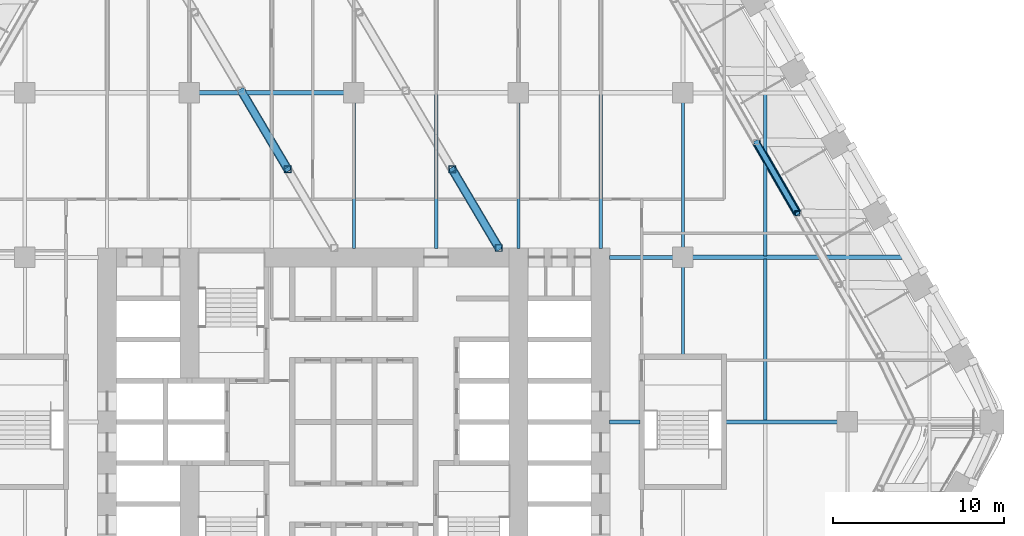
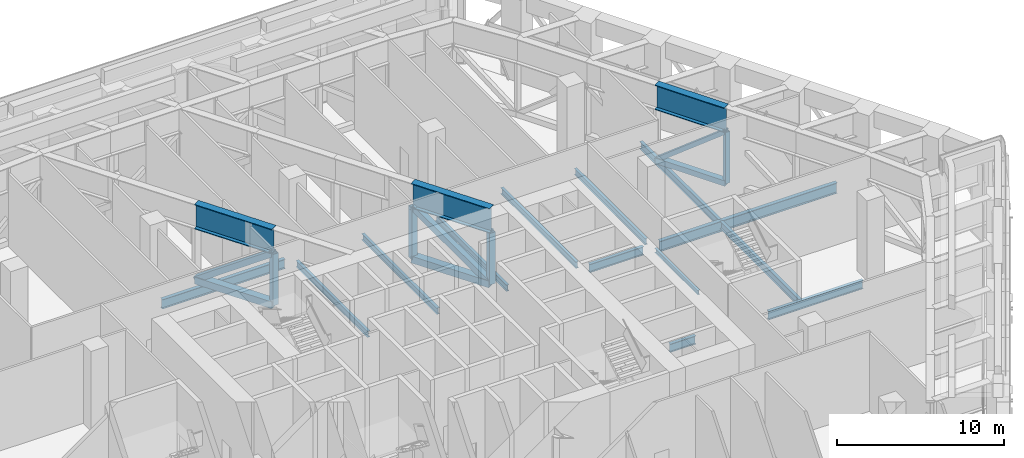
# One storey, part 9 of 35: 16 beams, 10 members.
"""IFC4 building model written with IfcOpenShell, lengths in metres."""

from ifc_helpers import new_model, si_unit, direction, frame, origin, origin_2d, place, context, subcontext, project, spatial, hollow_rectangle, i_section, extrude, material, material_profile, profile_set, type_object, element, save


model = new_model("IFC4")

# Units and contexts
model_context = context("Model", 3, precision=1e-05, world=origin(), true_north=direction((0.0, 1.0)))
body_context = subcontext(model_context, "Body", "Model", "MODEL_VIEW")
ifc_project = project(units=[si_unit("LENGTHUNIT", "METRE"), si_unit("AREAUNIT", "SQUARE_METRE"), si_unit("VOLUMEUNIT", "CUBIC_METRE"), si_unit("PLANEANGLEUNIT", "RADIAN"), si_unit("MASSUNIT", "GRAM", prefix="KILO")], contexts=[model_context])

# Site, building, storey
site_placement = place(None, origin())
site = spatial("IfcSite", under=ifc_project, at=site_placement, CompositionType="ELEMENT")
building_placement = place(site_placement, origin())
building = spatial("IfcBuilding", under=site, at=building_placement, Name="Kolab Exchange Tower", CompositionType="ELEMENT")
storey_placement = place(building_placement, frame((0.0, 0.0, 71.89990234375)))
storey = spatial("IfcBuildingStorey", under=building, at=storey_placement, Name="L13", CompositionType="ELEMENT", Elevation=71.89990234375)

# Members
ifc_material = material(Name="Steel S355", Category="steel")
ifc_material_profile_1 = material_profile(ifc_material, hollow_rectangle(XDim=0.300048828125, YDim=0.300048828125, WallThickness=0.01611328125, at=origin_2d()), Name="HSS300X300X16")
ifc_profile_set_1 = profile_set([ifc_material_profile_1], Name="Steel S355")
member_type_1 = type_object("IfcMemberType", Name="BELT TRUSS BRACE HSS300X300X16", PredefinedType="BRACE", material=ifc_profile_set_1)
member_1_placement = place(storey_placement, frame((23.48046875, 16.32763671875, 0.25), z_axis=(0.394006750666, -0.682437328265, 0.61566059921), x_axis=(0.866024647952, 0.500001309137, 0.0)))
element("IfcMember", 1, at=member_1_placement, inside=storey, type_object=member_type_1, Name="mem/L13/ring/d-F2-04", PredefinedType="BRACE", context=body_context, shape_type="SweptSolid", body=[
    extrude(hollow_rectangle(XDim=0.300048828125, YDim=0.300048828125, WallThickness=0.01611328125, at=origin_2d()), origin(), (0.0, 0.0, 1.0), 6.091064453125),
])
ifc_material_profile_2 = material_profile(ifc_material, hollow_rectangle(XDim=0.39990234375, YDim=0.39990234375, WallThickness=0.02001953125, at=origin_2d()), Name="HSS400X400X20")
ifc_profile_set_2 = profile_set([ifc_material_profile_2], Name="Steel S355")
member_type_2 = type_object("IfcMemberType", Name="BELT TRUSS CHORD HSS400X400X20", PredefinedType="CHORD", material=ifc_profile_set_2)
member_2_placement = place(storey_placement, frame((23.48046875, 16.32763671875, 0.25), z_axis=(0.500001309137, -0.866024647952, 0.0), x_axis=(0.866024647952, 0.500001309137, 0.0)))
element("IfcMember", 2, at=member_2_placement, inside=storey, type_object=member_type_2, Name="mem/L13/ring/c-F2-04", PredefinedType="CHORD", context=body_context, shape_type="SweptSolid", body=[
    extrude(hollow_rectangle(XDim=0.39990234375, YDim=0.39990234375, WallThickness=0.02001953125, at=origin_2d()), origin(), (0.0, 0.0, 1.0), 4.7998046875),
])

# Beam
ifc_material_profile_3 = material_profile(ifc_material, i_section(OverallWidth=0.5, OverallDepth=1.800048828125, WebThickness=0.031982421875, FlangeThickness=0.050048828125, at=origin_2d()), Name="PG1800X500")
ifc_profile_set_3 = profile_set([ifc_material_profile_3], Name="Steel S355")
beam_type_1 = type_object("IfcBeamType", Name="BELT TRUSS GIRDER PG1800X500", PredefinedType="BEAM", material=ifc_profile_set_3)
beam_1_placement = place(storey_placement, frame((23.48046875, 16.32763671875, 4.900146484375), z_axis=(0.500001309137, -0.866024647952, 0.0), x_axis=(0.866024647952, 0.500001309137, 0.0)))
element("IfcBeam", 3, at=beam_1_placement, inside=storey, type_object=beam_type_1, Name="beam/L13/bg/F2-run2", PredefinedType="BEAM", context=body_context, shape_type="SweptSolid", body=[
    extrude(i_section(OverallWidth=0.5, OverallDepth=1.800048828125, WebThickness=0.031982421875, FlangeThickness=0.050048828125, at=origin_2d()), origin(), (0.0, 0.0, 1.0), 4.7998046875),
])

# Member
ifc_material_profile_4 = material_profile(ifc_material, hollow_rectangle(XDim=0.300048828125, YDim=0.300048828125, WallThickness=0.01611328125, at=origin_2d()), Name="HSS300X300X16")
ifc_profile_set_4 = profile_set([ifc_material_profile_4], Name="Steel S355")
member_type_3 = type_object("IfcMemberType", Name="BELT TRUSS POST HSS300X300X16", PredefinedType="POST", material=ifc_profile_set_4)
member_3_placement = place(storey_placement, frame((25.88037109375, 12.1708984375, 0.25), z_axis=(0.0, 0.0, 1.0), x_axis=(1.0, 0.0, 0.0)))
element("IfcMember", 4, at=member_3_placement, inside=storey, type_object=member_type_3, Name="mem/L13/ring/p-F2-05", PredefinedType="POST", context=body_context, shape_type="SweptSolid", body=[
    extrude(hollow_rectangle(XDim=0.300048828125, YDim=0.300048828125, WallThickness=0.01611328125, at=origin_2d()), origin(), (0.0, 0.0, 1.0), 3.75),
])

# Beams
ifc_material_profile_5 = material_profile(ifc_material, i_section(OverallWidth=0.1650390625, OverallDepth=0.31005859375, WebThickness=0.005859375, FlangeThickness=0.009765625, at=origin_2d()), Name="W310X39")
ifc_profile_set_5 = profile_set([ifc_material_profile_5], Name="Steel S355")
beam_type_2 = type_object("IfcBeamType", Name="FLOOR BEAM W310X39", PredefinedType="BEAM", material=ifc_profile_set_5)
beam_2_placement = place(storey_placement, frame((19.199951171875, 3.909912109375, -0.454833984375), z_axis=(0.0, 1.0, 0.0), x_axis=(-1.0, 0.0, 0.0)))
element("IfcBeam", 5, at=beam_2_placement, inside=storey, type_object=beam_type_2, Name="beam/L13/fr/049", PredefinedType="BEAM", context=body_context, shape_type="SweptSolid", body=[
    extrude(i_section(OverallWidth=0.1650390625, OverallDepth=0.31005859375, WebThickness=0.005859375, FlangeThickness=0.009765625, at=origin_2d()), origin(), (0.0, 0.0, 1.0), 5.130126953125),
])
ifc_material_profile_6 = material_profile(ifc_material, i_section(OverallWidth=0.18994140625, OverallDepth=0.45703125, WebThickness=0.009033203125, FlangeThickness=0.014404296875, at=origin_2d()), Name="W460X74")
ifc_profile_set_6 = profile_set([ifc_material_profile_6], Name="Steel S355")
beam_type_3 = type_object("IfcBeamType", Name="FLOOR BEAM W460X74", PredefinedType="BEAM", material=ifc_profile_set_6)
beam_3_placement = place(storey_placement, frame((0.0, 10.110107421875, -0.5283203125), z_axis=(0.0, 1.0, 0.0), x_axis=(-1.0, 0.0, 0.0)))
element("IfcBeam", 6, at=beam_3_placement, inside=storey, type_object=beam_type_3, Name="beam/L13/fr/032", PredefinedType="BEAM", context=body_context, shape_type="SweptSolid", body=[
    extrude(i_section(OverallWidth=0.18994140625, OverallDepth=0.45703125, WebThickness=0.009033203125, FlangeThickness=0.014404296875, at=origin_2d()), origin(), (0.0, 0.0, 1.0), 8.52978515625),
])
beam_4_placement = place(storey_placement, frame((4.800048828125, 10.110107421875, -0.5283203125), z_axis=(0.0, 1.0, 0.0), x_axis=(-1.0, 0.0, 0.0)))
element("IfcBeam", 7, at=beam_4_placement, inside=storey, type_object=beam_type_3, Name="beam/L13/fr/036", PredefinedType="BEAM", context=body_context, shape_type="SweptSolid", body=[
    extrude(i_section(OverallWidth=0.18994140625, OverallDepth=0.45703125, WebThickness=0.009033203125, FlangeThickness=0.014404296875, at=origin_2d()), origin(), (0.0, 0.0, 1.0), 9.0029296875),
])
beam_5_placement = place(storey_placement, frame((9.60009765625, 10.110107421875, -0.5283203125), z_axis=(0.0, 1.0, 0.0), x_axis=(-1.0, 0.0, 0.0)))
element("IfcBeam", 8, at=beam_5_placement, inside=storey, type_object=beam_type_3, Name="beam/L13/fr/040", PredefinedType="BEAM", context=body_context, shape_type="SweptSolid", body=[
    extrude(i_section(OverallWidth=0.18994140625, OverallDepth=0.45703125, WebThickness=0.009033203125, FlangeThickness=0.014404296875, at=origin_2d()), origin(), (0.0, 0.0, 1.0), 8.52978515625),
])
beam_6_placement = place(storey_placement, frame((14.39990234375, 10.110107421875, -0.5283203125), z_axis=(0.0, 1.0, 0.0), x_axis=(-1.0, 0.0, 0.0)))
element("IfcBeam", 9, at=beam_6_placement, inside=storey, type_object=beam_type_3, Name="beam/L13/fr/044", PredefinedType="BEAM", context=body_context, shape_type="SweptSolid", body=[
    extrude(i_section(OverallWidth=0.18994140625, OverallDepth=0.45703125, WebThickness=0.009033203125, FlangeThickness=0.014404296875, at=origin_2d()), origin(), (0.0, 0.0, 1.0), 9.0029296875),
])
beam_7_placement = place(storey_placement, frame((19.199951171875, 10.159912109375, -0.5283203125), z_axis=(0.0, 1.0, 0.0), x_axis=(-1.0, 0.0, 0.0)))
element("IfcBeam", 10, at=beam_7_placement, inside=storey, type_object=beam_type_3, Name="beam/L13/fr/050", PredefinedType="BEAM", context=body_context, shape_type="SweptSolid", body=[
    extrude(i_section(OverallWidth=0.18994140625, OverallDepth=0.45703125, WebThickness=0.009033203125, FlangeThickness=0.014404296875, at=origin_2d()), origin(), (0.0, 0.0, 1.0), 8.47998046875),
])
ifc_material_profile_7 = material_profile(ifc_material, i_section(OverallWidth=0.208984375, OverallDepth=0.532958984375, WebThickness=0.01025390625, FlangeThickness=0.015625, at=origin_2d()), Name="W530X92")
ifc_profile_set_7 = profile_set([ifc_material_profile_7], Name="Steel S355")
beam_type_4 = type_object("IfcBeamType", Name="FLOOR BEAM W530X92", PredefinedType="BEAM", material=ifc_profile_set_7)
beam_8_placement = place(storey_placement, frame((24.0, 0.073974609375, -0.56640625), z_axis=(0.0, 1.0, 0.0), x_axis=(-1.0, 0.0, 0.0)))
element("IfcBeam", 11, at=beam_8_placement, inside=storey, type_object=beam_type_4, Name="beam/L13/fr/055", PredefinedType="BEAM", context=body_context, shape_type="SweptSolid", body=[
    extrude(i_section(OverallWidth=0.208984375, OverallDepth=0.532958984375, WebThickness=0.01025390625, FlangeThickness=0.015625, at=origin_2d()), origin(), (0.0, 0.0, 1.0), 9.4326171875),
])
beam_9_placement = place(storey_placement, frame((24.0, 9.693603515625, -0.56640625), z_axis=(0.0, 1.0, 0.0), x_axis=(-1.0, 0.0, 0.0)))
element("IfcBeam", 12, at=beam_9_placement, inside=storey, type_object=beam_type_4, Name="beam/L13/fr/056", PredefinedType="BEAM", context=body_context, shape_type="SweptSolid", body=[
    extrude(i_section(OverallWidth=0.208984375, OverallDepth=0.532958984375, WebThickness=0.01025390625, FlangeThickness=0.015625, at=origin_2d()), origin(), (0.0, 0.0, 1.0), 9.432373046875),
])
ifc_material_profile_8 = material_profile(ifc_material, i_section(OverallWidth=0.22802734375, OverallDepth=0.60791015625, WebThickness=0.01123046875, FlangeThickness=0.017333984375, at=origin_2d()), Name="W610X113")
ifc_profile_set_8 = profile_set([ifc_material_profile_8], Name="Steel S355")
beam_type_5 = type_object("IfcBeamType", Name="FLOOR GIRDER W610X113", PredefinedType="BEAM", material=ifc_profile_set_8)
beam_10_placement = place(storey_placement, frame((14.909912109375, 0.0, -0.60400390625), z_axis=(1.0, 0.0, 0.0), x_axis=(0.0, 1.0, 0.0)))
element("IfcBeam", 13, at=beam_10_placement, inside=storey, type_object=beam_type_5, Name="beam/L13/gd/018", PredefinedType="BEAM", context=body_context, shape_type="SweptSolid", body=[
    extrude(i_section(OverallWidth=0.22802734375, OverallDepth=0.60791015625, WebThickness=0.01123046875, FlangeThickness=0.017333984375, at=origin_2d()), origin(), (0.0, 0.0, 1.0), 1.780029296875),
])
beam_11_placement = place(storey_placement, frame((14.909912109375, 9.60009765625, -0.60400390625), z_axis=(1.0, 0.0, 0.0), x_axis=(0.0, 1.0, 0.0)))
element("IfcBeam", 14, at=beam_11_placement, inside=storey, type_object=beam_type_5, Name="beam/L13/gd/019", PredefinedType="BEAM", context=body_context, shape_type="SweptSolid", body=[
    extrude(i_section(OverallWidth=0.22802734375, OverallDepth=0.60791015625, WebThickness=0.01123046875, FlangeThickness=0.017333984375, at=origin_2d()), origin(), (0.0, 0.0, 1.0), 3.72998046875),
])
beam_12_placement = place(storey_placement, frame((21.7099609375, 0.0, -0.60400390625), z_axis=(1.0, 0.0, 0.0), x_axis=(0.0, 1.0, 0.0)))
element("IfcBeam", 15, at=beam_12_placement, inside=storey, type_object=beam_type_5, Name="beam/L13/gd/024", PredefinedType="BEAM", context=body_context, shape_type="SweptSolid", body=[
    extrude(i_section(OverallWidth=0.22802734375, OverallDepth=0.60791015625, WebThickness=0.01123046875, FlangeThickness=0.017333984375, at=origin_2d()), origin(), (0.0, 0.0, 1.0), 6.530029296875),
])
ifc_material_profile_9 = material_profile(ifc_material, i_section(OverallWidth=0.25390625, OverallDepth=0.68408203125, WebThickness=0.012451171875, FlangeThickness=0.018798828125, at=origin_2d()), Name="W690X140")
ifc_profile_set_9 = profile_set([ifc_material_profile_9], Name="Steel S355")
beam_type_6 = type_object("IfcBeamType", Name="FLOOR GIRDER W690X140", PredefinedType="BEAM", material=ifc_profile_set_9)
beam_13_placement = place(storey_placement, frame((-9.0400390625, 19.199951171875, -0.641845703125), z_axis=(1.0, 0.0, 0.0), x_axis=(0.0, 1.0, 0.0)))
element("IfcBeam", 16, at=beam_13_placement, inside=storey, type_object=beam_type_6, Name="beam/L13/gd/012", PredefinedType="BEAM", context=body_context, shape_type="SweptSolid", body=[
    extrude(i_section(OverallWidth=0.25390625, OverallDepth=0.68408203125, WebThickness=0.012451171875, FlangeThickness=0.018798828125, at=origin_2d()), origin(), (0.0, 0.0, 1.0), 8.47998046875),
])
ifc_material_profile_10 = material_profile(ifc_material, i_section(OverallWidth=0.26708984375, OverallDepth=0.761962890625, WebThickness=0.014404296875, FlangeThickness=0.021484375, at=origin_2d()), Name="W760X173")
ifc_profile_set_10 = profile_set([ifc_material_profile_10], Name="Steel S355")
beam_type_7 = type_object("IfcBeamType", Name="FLOOR GIRDER W760X173", PredefinedType="BEAM", material=ifc_profile_set_10)
beam_14_placement = place(storey_placement, frame((19.760009765625, 9.60009765625, -0.680908203125), z_axis=(1.0, 0.0, 0.0), x_axis=(0.0, 1.0, 0.0)))
element("IfcBeam", 17, at=beam_14_placement, inside=storey, type_object=beam_type_7, Name="beam/L13/gd/022", PredefinedType="BEAM", context=body_context, shape_type="SweptSolid", body=[
    extrude(i_section(OverallWidth=0.26708984375, OverallDepth=0.761962890625, WebThickness=0.014404296875, FlangeThickness=0.021484375, at=origin_2d()), origin(), (0.0, 0.0, 1.0), 12.213623046875),
])

# Members
ifc_material_profile_11 = material_profile(ifc_material, hollow_rectangle(XDim=0.39990234375, YDim=0.39990234375, WallThickness=0.02001953125, at=origin_2d()), Name="HSS400X400X20")
ifc_profile_set_11 = profile_set([ifc_material_profile_11], Name="Steel S355")
member_type_4 = type_object("IfcMemberType", Name="OUTRIGGER BRACE HSS400X400X20", PredefinedType="BRACE", material=ifc_profile_set_11)
for number, where, z_axis, x_axis, name in (
    (18, (-3.85888671875, 14.737060546875, 4.0), (-0.416437209719, 0.703889774507, -0.575429609688), (-0.860657391402, -0.509184499592, 0.0), "mem/L13/out/00/d01"),
    (19, (8.45458984375, 10.14990234375, 0.25), (-0.416406242938, 0.703900755606, 0.575438586732), (-0.860677465118, -0.50915056814, 0.0), "mem/L13/out/01/d00"),
):
    element("IfcMember", number, at=place(storey_placement, frame(where, z_axis=z_axis, x_axis=x_axis)), inside=storey, type_object=member_type_4, Name=name, PredefinedType="BRACE", context=body_context, shape_type="SweptSolid", body=[
        extrude(hollow_rectangle(XDim=0.39990234375, YDim=0.39990234375, WallThickness=0.02001953125, at=origin_2d()), origin(), (0.0, 0.0, 1.0), 6.516845703125),
    ])
ifc_material_profile_12 = material_profile(ifc_material, hollow_rectangle(XDim=0.5, YDim=0.5, WallThickness=0.02490234375, at=origin_2d()), Name="HSS500X500X25")
ifc_profile_set_12 = profile_set([ifc_material_profile_12], Name="Steel S355")
member_type_5 = type_object("IfcMemberType", Name="OUTRIGGER CHORD HSS500X500X25", PredefinedType="CHORD", material=ifc_profile_set_12)
member_4_placement = place(storey_placement, frame((-3.85888671875, 14.737060546875, 0.25), z_axis=(-0.509184499592, 0.860657391402, 0.0), x_axis=(-0.860657391402, -0.509184499592, 0.0)))
element("IfcMember", 20, at=member_4_placement, inside=storey, type_object=member_type_5, Name="mem/L13/out/00/c01", PredefinedType="CHORD", context=body_context, shape_type="SweptSolid", body=[
    extrude(hollow_rectangle(XDim=0.5, YDim=0.5, WallThickness=0.02490234375, at=origin_2d()), origin(), (0.0, 0.0, 1.0), 5.329833984375),
])
member_5_placement = place(storey_placement, frame((8.45458984375, 10.14990234375, 0.25), z_axis=(-0.50915056814, 0.860677465118, 0.0), x_axis=(-0.860677465118, -0.50915056814, 0.0)))
element("IfcMember", 21, at=member_5_placement, inside=storey, type_object=member_type_5, Name="mem/L13/out/01/c00", PredefinedType="CHORD", context=body_context, shape_type="SweptSolid", body=[
    extrude(hollow_rectangle(XDim=0.5, YDim=0.5, WallThickness=0.02490234375, at=origin_2d()), origin(), (0.0, 0.0, 1.0), 5.32958984375),
])

# Beams
ifc_material_profile_13 = material_profile(ifc_material, i_section(OverallWidth=0.5, OverallDepth=1.800048828125, WebThickness=0.031982421875, FlangeThickness=0.050048828125, at=origin_2d()), Name="PG1800X500")
ifc_profile_set_13 = profile_set([ifc_material_profile_13], Name="Steel S355")
beam_type_8 = type_object("IfcBeamType", Name="OUTRIGGER GIRDER PG1800X500", PredefinedType="BEAM", material=ifc_profile_set_13)
beam_15_placement = place(storey_placement, frame((-3.85888671875, 14.737060546875, 4.900146484375), z_axis=(-0.509184499592, 0.860657391402, 0.0), x_axis=(-0.860657391402, -0.509184499592, 0.0)))
element("IfcBeam", 22, at=beam_15_placement, inside=storey, type_object=beam_type_8, Name="beam/L13/og/00-01", PredefinedType="BEAM", context=body_context, shape_type="SweptSolid", body=[
    extrude(i_section(OverallWidth=0.5, OverallDepth=1.800048828125, WebThickness=0.031982421875, FlangeThickness=0.050048828125, at=origin_2d()), origin(), (0.0, 0.0, 1.0), 5.329833984375),
])
beam_16_placement = place(storey_placement, frame((8.47509765625, 10.115478515625, 4.900146484375), z_axis=(-0.509170394936, 0.860665735882, 0.0), x_axis=(-0.860665735882, -0.509170394936, 0.0)))
element("IfcBeam", 23, at=beam_16_placement, inside=storey, type_object=beam_type_8, Name="beam/L13/og/01-00", PredefinedType="BEAM", context=body_context, shape_type="SweptSolid", body=[
    extrude(i_section(OverallWidth=0.5, OverallDepth=1.800048828125, WebThickness=0.031982421875, FlangeThickness=0.050048828125, at=origin_2d()), origin(), (0.0, 0.0, 1.0), 5.369873046875),
])

# Members
ifc_material_profile_14 = material_profile(ifc_material, hollow_rectangle(XDim=0.39990234375, YDim=0.39990234375, WallThickness=0.02001953125, at=origin_2d()), Name="HSS400X400X20")
ifc_profile_set_14 = profile_set([ifc_material_profile_14], Name="Steel S355")
member_type_6 = type_object("IfcMemberType", Name="OUTRIGGER POST HSS400X400X20", PredefinedType="POST", material=ifc_profile_set_14)
for number, where, z_axis, x_axis, name in (
    (24, (-3.85888671875, 14.737060546875, 0.25), (0.0, 0.0, 1.0), (1.0, 0.0, 0.0), "mem/L13/out/00/p01"),
    (25, (8.45458984375, 10.14990234375, 0.25), (0.0, 0.0, 1.0), (1.0, 0.0, 0.0), "mem/L13/out/01/p00"),
    (26, (5.740966796875, 14.737060546875, 0.25), (0.0, 0.0, 1.0), (1.0, 0.0, 0.0), "mem/L13/out/01/p01"),
):
    element("IfcMember", number, at=place(storey_placement, frame(where, z_axis=z_axis, x_axis=x_axis)), inside=storey, type_object=member_type_6, Name=name, PredefinedType="POST", context=body_context, shape_type="SweptSolid", body=[
        extrude(hollow_rectangle(XDim=0.39990234375, YDim=0.39990234375, WallThickness=0.02001953125, at=origin_2d()), origin(), (0.0, 0.0, 1.0), 3.75),
    ])

save(model, "model.ifc")
